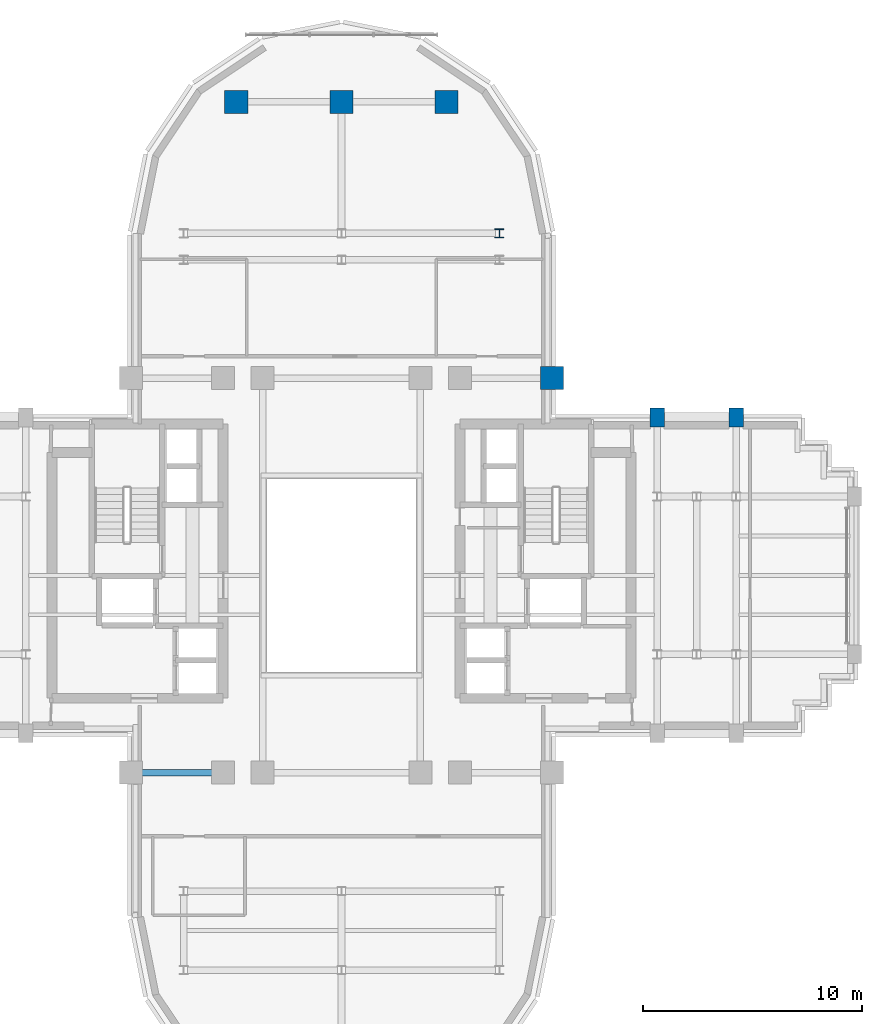
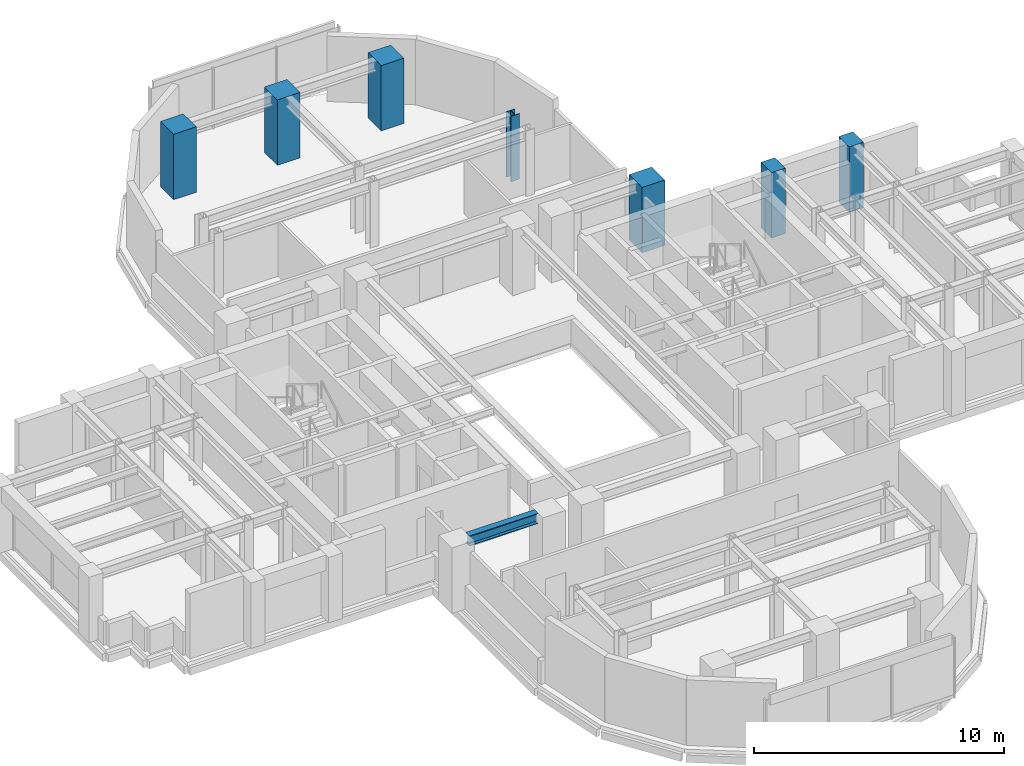
# One storey, part 2 of 13: 7 columns, 1 beam.
"""IFC4 building model written with IfcOpenShell, lengths in metres."""

from ifc_helpers import new_model, si_unit, direction, frame, origin, origin_2d, place, context, subcontext, project, spatial, rectangle, i_section, extrude, source, transform, mapped, material, material_profile, profile_set, type_object, element, save


model = new_model("IFC4")

# Units and contexts
model_context = context("Model", 3, precision=1e-05, world=origin(), true_north=direction((0.0, 1.0)))
body_context = subcontext(model_context, "Body", "Model", "MODEL_VIEW")
ifc_project = project(units=[si_unit("LENGTHUNIT", "METRE"), si_unit("AREAUNIT", "SQUARE_METRE"), si_unit("VOLUMEUNIT", "CUBIC_METRE"), si_unit("PLANEANGLEUNIT", "RADIAN"), si_unit("MASSUNIT", "GRAM", prefix="KILO")], contexts=[model_context])

# Site, building, storey
site_placement = place(None, origin())
site = spatial("IfcSite", under=ifc_project, at=site_placement, CompositionType="ELEMENT")
building_placement = place(site_placement, origin())
building = spatial("IfcBuilding", under=site, at=building_placement, Name="Keilestroom Media Tower", CompositionType="ELEMENT")
storey_placement = place(building_placement, frame((0.0, 0.0, 138.0)))
storey = spatial("IfcBuildingStorey", under=building, at=storey_placement, Name="L37", CompositionType="ELEMENT", Elevation=138.0)

# Columns
ifc_material_1 = material(Name="Precast concrete C40/50", Category="concrete")
ifc_material_profile_1 = material_profile(ifc_material_1, rectangle(XDim=0.64990234375, YDim=0.85009765625, at=origin_2d()), Name="PC 850x650")
ifc_profile_set_1 = profile_set([ifc_material_profile_1], Name="Precast concrete C40/50")
column_type_1 = type_object("IfcColumnType", Name="Structural-Column-PC-850x650", PredefinedType="COLUMN", material=ifc_profile_set_1)
shared_shape_1 = source(origin(), body_context, "Body", "SweptSolid", [
    extrude(rectangle(XDim=0.64990234375, YDim=0.85009765625, at=origin_2d()), origin(), (0.0, 0.0, 1.0), 3.199951171875),
])
for number, where, z_axis, x_axis, name in (
    (1, (14.39990234375, 7.199951171875, 0.0), (0.0, 0.0, 1.0), (1.0, 0.0, 0.0), "L37 Column PC-2 (+14.4,+7.2)"),
    (2, (18.0, 7.199951171875, 0.0), (0.0, 0.0, 1.0), (1.0, 0.0, 0.0), "L37 Column PC-2 (+18.0,+7.2)"),
):
    element("IfcColumn", number, at=place(storey_placement, frame(where, z_axis=z_axis, x_axis=x_axis)), inside=storey, type_object=column_type_1, Name=name, PredefinedType="COLUMN", context=body_context, shape_type="MappedRepresentation", body=[
        mapped(shared_shape_1, transform((0.0, 0.0, 0.0), x_axis=(1.0, 0.0, 0.0), y_axis=(0.0, 1.0, 0.0), z_axis=(0.0, 0.0, 1.0), scale=1.0)),
    ])
ifc_material_2 = material(Name="Steel S355", Category="steel")
ifc_material_profile_2 = material_profile(ifc_material_2, i_section(OverallWidth=0.40087890625, OverallDepth=0.39892578125, WebThickness=0.02001953125, FlangeThickness=0.031982421875, at=origin_2d()), Name="HD 400x314")
ifc_profile_set_2 = profile_set([ifc_material_profile_2], Name="Steel S355")
column_type_2 = type_object("IfcColumnType", Name="Structural-Column-HD-400x314", PredefinedType="COLUMN", material=ifc_profile_set_2)
shared_shape_2 = source(origin(), body_context, "Body", "SweptSolid", [
    extrude(i_section(OverallWidth=0.40087890625, OverallDepth=0.39892578125, WebThickness=0.02001953125, FlangeThickness=0.031982421875, at=origin_2d()), origin(), (0.0, 0.0, 1.0), 3.199951171875),
])
column_placement = place(storey_placement, frame((7.199951171875, 15.60009765625, 0.0), z_axis=(0.0, 0.0, 1.0), x_axis=(1.0, 0.0, 0.0)))
element("IfcColumn", 3, at=column_placement, inside=storey, type_object=column_type_2, Name="L37 Column SC-3 (+7.2,+15.6)", PredefinedType="COLUMN", context=body_context, shape_type="MappedRepresentation", body=[
    mapped(shared_shape_2, transform((0.0, 0.0, 0.0), x_axis=(1.0, 0.0, 0.0), y_axis=(0.0, 1.0, 0.0), z_axis=(0.0, 0.0, 1.0), scale=1.0)),
])
ifc_material_3 = material(Name="Concrete C55/67", Category="concrete")
ifc_material_profile_3 = material_profile(ifc_material_3, rectangle(XDim=1.050048828125, YDim=1.050048828125, at=origin_2d()), Name="RC 1050x1050")
ifc_profile_set_3 = profile_set([ifc_material_profile_3], Name="Concrete C55/67")
column_type_3 = type_object("IfcColumnType", Name="Structural-Column-RC-1050x1050", PredefinedType="COLUMN", material=ifc_profile_set_3)
shared_shape_3 = source(origin(), body_context, "Body", "SweptSolid", [
    extrude(rectangle(XDim=1.050048828125, YDim=1.050048828125, at=origin_2d()), origin(), (0.0, 0.0, 1.0), 3.199951171875),
])
for number, where, z_axis, x_axis, name in (
    (4, (-4.800048828125, 21.60009765625, 0.0), (0.0, 0.0, 1.0), (1.0, 0.0, 0.0), "L37 Column MC-3 (-4.8,+21.6)"),
    (5, (0.0, 21.60009765625, 0.0), (0.0, 0.0, 1.0), (1.0, 0.0, 0.0), "L37 Column MC-3 (+0.0,+21.6)"),
    (6, (4.800048828125, 21.60009765625, 0.0), (0.0, 0.0, 1.0), (1.0, 0.0, 0.0), "L37 Column MC-3 (+4.8,+21.6)"),
    (7, (9.60009765625, 9.0, 0.0), (0.0, 0.0, 1.0), (1.0, 0.0, 0.0), "L37 Column MC-3 (+9.6,+9.0)"),
):
    element("IfcColumn", number, at=place(storey_placement, frame(where, z_axis=z_axis, x_axis=x_axis)), inside=storey, type_object=column_type_3, Name=name, PredefinedType="COLUMN", context=body_context, shape_type="MappedRepresentation", body=[
        mapped(shared_shape_3, transform((0.0, 0.0, 0.0), x_axis=(1.0, 0.0, 0.0), y_axis=(0.0, 1.0, 0.0), z_axis=(0.0, 0.0, 1.0), scale=1.0)),
    ])

# Beam
ifc_material_profile_4 = material_profile(ifc_material_2, i_section(OverallWidth=0.300048828125, OverallDepth=0.5, WebThickness=0.012451171875, FlangeThickness=0.028076171875, at=origin_2d()), Name="HEB 500")
ifc_profile_set_4 = profile_set([ifc_material_profile_4], Name="Steel S355")
beam_type = type_object("IfcBeamType", Name="Primary-Structural-Girder-HEB-500", PredefinedType="BEAM", material=ifc_profile_set_4)
shared_shape_4 = source(origin(), body_context, "Body", "SweptSolid", [
    extrude(i_section(OverallWidth=0.300048828125, OverallDepth=0.5, WebThickness=0.012451171875, FlangeThickness=0.028076171875, at=origin_2d()), origin(), (0.0, 0.0, 1.0), 3.18994140625),
])
beam_placement = place(storey_placement, frame((-9.094970703125, -9.0, 2.949951171875), z_axis=(1.0, 0.0, 0.0), x_axis=(0.0, 1.0, 0.0)))
element("IfcBeam", 8, at=beam_placement, inside=storey, type_object=beam_type, Name="L37 Beam BG-6 BM-L37-EW-007", PredefinedType="BEAM", context=body_context, shape_type="MappedRepresentation", body=[
    mapped(shared_shape_4, transform((0.0, 0.0, 0.0), x_axis=(1.0, 0.0, 0.0), y_axis=(0.0, 1.0, 0.0), z_axis=(0.0, 0.0, 1.0), scale=1.0)),
])

save(model, "model.ifc")
